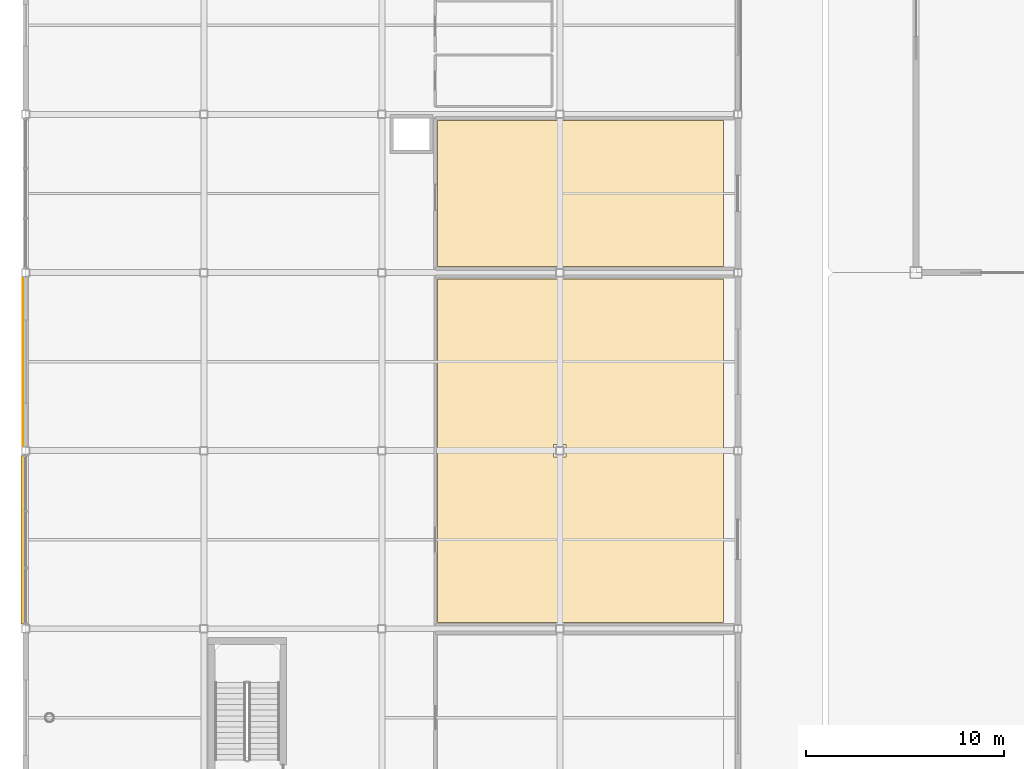
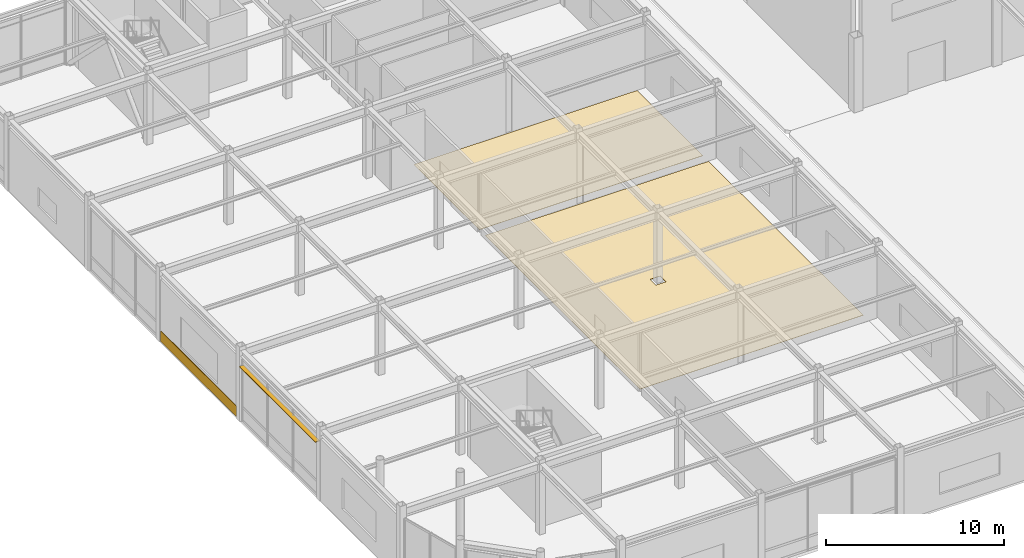
# One storey, part 107 of 123: 3 coverings, 1 shading device.
"""IFC4 building model written with IfcOpenShell, lengths in metres."""

from ifc_helpers import new_model, si_unit, direction, frame, origin, origin_2d, place, context, subcontext, project, spatial, polyline, rectangle, outline, extrude, material, layer, layer_set, material_profile, profile_set, type_object, element, save


model = new_model("IFC4")

# Units and contexts
model_context = context("Model", 3, precision=1e-05, world=origin(), true_north=direction((0.0, 1.0)))
body_context = subcontext(model_context, "Body", "Model", "MODEL_VIEW")
ifc_project = project(units=[si_unit("LENGTHUNIT", "METRE"), si_unit("AREAUNIT", "SQUARE_METRE"), si_unit("VOLUMEUNIT", "CUBIC_METRE"), si_unit("PLANEANGLEUNIT", "RADIAN"), si_unit("MASSUNIT", "GRAM", prefix="KILO")], contexts=[model_context])

# Site, building, storey
site_placement = place(None, origin())
site = spatial("IfcSite", under=ifc_project, at=site_placement, CompositionType="ELEMENT")
building_placement = place(site_placement, origin())
building = spatial("IfcBuilding", under=site, at=building_placement, Name="Suzunagisa Mobility Hub", CompositionType="ELEMENT")
storey_placement = place(building_placement, origin())
storey = spatial("IfcBuildingStorey", under=building, at=storey_placement, Name="L00", CompositionType="ELEMENT", Elevation=0.0)

# Coverings
ifc_material_1 = material(Name="Polished Aggregate Terrazzo Finish")
ifc_layer_1 = layer(ifc_material_1, 0.02001953125)
ifc_layer_set_1 = layer_set([ifc_layer_1], Name="Polished Aggregate Terrazzo Finish")
covering_type_1 = type_object("IfcCoveringType", Name="Polished Terrazzo Heavy-Traffic Flooring FLR-01", PredefinedType="FLOORING", material=ifc_layer_set_1)
covering_1_placement = place(storey_placement, origin())
element("IfcCovering", 1, at=covering_1_placement, inside=storey, type_object=covering_type_1, Name="L00 Commuter Mobility Gear and Cycle Retail Shop Terrazzo Flooring", PredefinedType="FLOORING", context=body_context, shape_type="SweptSolid", body=[
    extrude(outline(polyline([(20.820068359375, 18.320068359375), (20.820068359375, 35.679931640625), (26.679931640625, 35.679931640625), (27.320068359375, 35.679931640625), (35.280029296875, 35.679931640625), (35.280029296875, 18.320068359375), (27.320068359375, 18.320068359375), (26.679931640625, 18.320068359375), (20.820068359375, 18.320068359375)]), holes=[polyline([(27.320068359375, 27.320068359375), (26.679931640625, 27.320068359375), (26.679931640625, 26.679931640625), (27.320068359375, 26.679931640625), (27.320068359375, 27.320068359375)])]), origin(), (0.0, 0.0, 1.0), 0.02001953125),
])
covering_2_placement = place(storey_placement, origin())
element("IfcCovering", 2, at=covering_2_placement, inside=storey, type_object=covering_type_1, Name="L00 Public Cycle Repair and Tuning Workshop Terrazzo Flooring", PredefinedType="FLOORING", context=body_context, shape_type="SweptSolid", body=[
    extrude(outline(polyline([(26.679931640625, 36.320068359375), (20.820068359375, 36.320068359375), (20.820068359375, 43.679931640625), (26.679931640625, 43.679931640625), (27.320068359375, 43.679931640625), (35.280029296875, 43.679931640625), (35.280029296875, 36.320068359375), (27.320068359375, 36.320068359375), (26.679931640625, 36.320068359375)])), origin(), (0.0, 0.0, 1.0), 0.02001953125),
])
ifc_material_2 = material(Name="Vitreous Porcelain Enamel Aluminum Cladding", Category="aluminium")
ifc_layer_2 = layer(ifc_material_2, 0.034912109375)
ifc_layer_set_2 = layer_set([ifc_layer_2], Name="Vitreous Porcelain Enamel Aluminum Cladding")
covering_type_2 = type_object("IfcCoveringType", Name="Porcelain Enamel Spandrel Cladding Band CLD-01", PredefinedType="CLADDING", material=ifc_layer_set_2)
covering_3_placement = place(storey_placement, frame((-0.137451171875, 31.5, 0.06005859375), z_axis=(0.0, 0.0, 1.0), x_axis=(0.0, -1.0, 0.0)))
element("IfcCovering", 3, at=covering_3_placement, inside=storey, type_object=covering_type_2, Name="L00 Porcelain Spandrel Cladding Band CLD-2", PredefinedType="CLADDING", context=body_context, shape_type="SweptSolid", body=[
    extrude(rectangle(XDim=8.5, YDim=0.034912109375, at=origin_2d()), origin(), (0.0, 0.0, 1.0), 0.719970703125),
])

# Shading device
ifc_material_3 = material(Name="Fluoropolymer-Coated Extruded Aluminum 6063-T5", Category="aluminium")
ifc_material_profile = material_profile(ifc_material_3, rectangle(XDim=0.280029296875, YDim=0.044921875, at=origin_2d()), Name="FIN-280x45")
ifc_profile_set = profile_set([ifc_material_profile], Name="Fluoropolymer-Coated Extruded Aluminum 6063-T5")
shading_device_type = type_object("IfcShadingDeviceType", Name="Streamline Aluminum Sunshade SF-02 FIN-280x45", PredefinedType="JALOUSIE", material=ifc_profile_set)
shading_device_placement = place(storey_placement, frame((-0.107421875, 26.767578125, 3.81201171875), z_axis=(0.0, -1.0, 0.0), x_axis=(1.0, 0.0, 0.0)))
element("IfcShadingDevice", 4, at=shading_device_placement, inside=storey, type_object=shading_device_type, Name="L00 Streamline Speed-Rail Sunshade Fin SF-2", PredefinedType="JALOUSIE", context=body_context, shape_type="SweptSolid", body=[
    extrude(rectangle(XDim=0.280029296875, YDim=0.044921875, at=origin_2d()), origin(), (0.0, 0.0, 1.0), 8.53515625),
])

save(model, "model.ifc")
